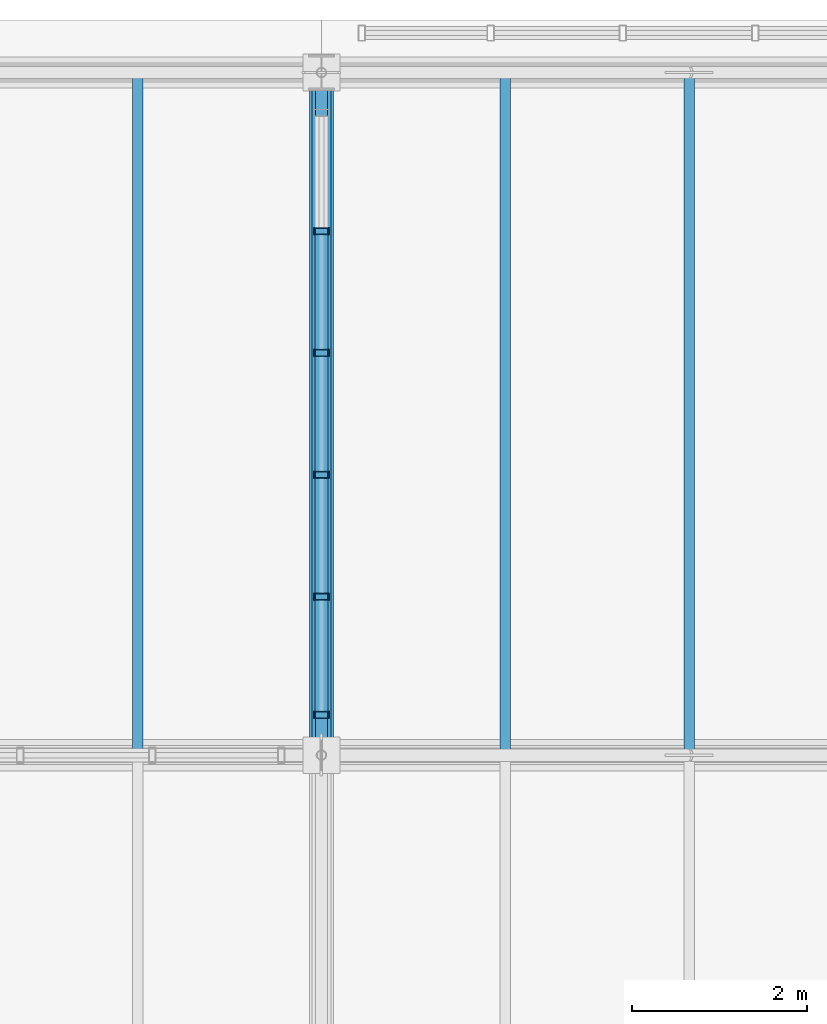
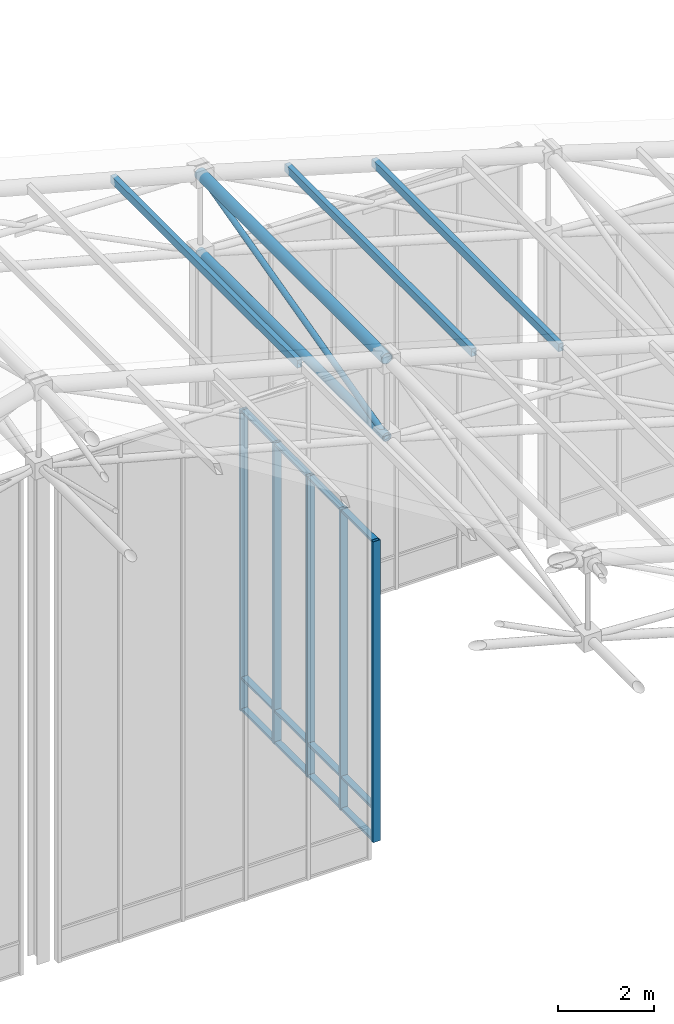
# One storey, part 79 of 144: 23 members, 1 element without a shape of its own.
"""IFC4 building model written with IfcOpenShell, lengths in metres."""

from ifc_helpers import new_model, si_unit, direction, frame, origin, origin_2d, place, context, subcontext, project, spatial, hollow_rectangle, hollow_circle, extrude, material, layer, layer_set, material_profile, profile_set, type_object, element, aggregate, save


model = new_model("IFC4")

# Units and contexts
model_context = context("Model", 3, precision=1e-05, world=origin(), true_north=direction((0.0, 1.0)))
body_context = subcontext(model_context, "Body", "Model", "MODEL_VIEW")
ifc_project = project(units=[si_unit("LENGTHUNIT", "METRE"), si_unit("AREAUNIT", "SQUARE_METRE"), si_unit("VOLUMEUNIT", "CUBIC_METRE"), si_unit("PLANEANGLEUNIT", "RADIAN"), si_unit("MASSUNIT", "GRAM", prefix="KILO")], contexts=[model_context])

# Site, building, storey
site_placement = place(None, origin())
site = spatial("IfcSite", under=ifc_project, at=site_placement, CompositionType="ELEMENT")
building_placement = place(site_placement, origin())
building = spatial("IfcBuilding", under=site, at=building_placement, Name="Zayran Congress Hotel", CompositionType="ELEMENT")
storey_placement = place(building_placement, frame((0.0, 0.0, 19.199951171875)))
storey = spatial("IfcBuildingStorey", under=building, at=storey_placement, Name="L04", CompositionType="ELEMENT", Elevation=19.199951171875)

# Members
ifc_material_1 = material(Name="Steel S355", Category="steel")
ifc_material_profile_1 = material_profile(ifc_material_1, hollow_circle(Radius=0.136474609375, WallThickness=0.012451171875, at=origin_2d()), Name="CHS 273x12.5")
ifc_profile_set_1 = profile_set([ifc_material_profile_1], Name="Steel S355")
member_type_1 = type_object("IfcMemberType", Name="TP-SF-TC2", PredefinedType="CHORD", material=ifc_profile_set_1)
member_1_placement = place(storey_placement, frame((58.800048828125, 109.60009765625, 12.35205078125), z_axis=(0.0, 1.0, 0.0), x_axis=(-1.0, 0.0, 0.0)))
element("IfcMember", 1, at=member_1_placement, inside=storey, type_object=member_type_1, Name="Space Frame Top Chord Y 375", PredefinedType="CHORD", context=body_context, shape_type="SweptSolid", body=[
    extrude(hollow_circle(Radius=0.136474609375, WallThickness=0.012451171875, at=origin_2d()), origin(), (0.0, 0.0, 1.0), 7.7998046875),
])
ifc_material_profile_2 = material_profile(ifc_material_1, hollow_circle(Radius=0.109619140625, WallThickness=0.010009765625, at=origin_2d()), Name="CHS 219.1x10")
ifc_profile_set_2 = profile_set([ifc_material_profile_2], Name="Steel S355")
member_type_2 = type_object("IfcMemberType", Name="TP-SF-BC1", PredefinedType="CHORD", material=ifc_profile_set_2)
member_2_placement = place(storey_placement, frame((58.800048828125, 109.60009765625, 10.35009765625), z_axis=(0.0, 1.0, 0.0), x_axis=(-1.0, 0.0, 0.0)))
element("IfcMember", 2, at=member_2_placement, inside=storey, type_object=member_type_2, Name="Space Frame Bottom Chord Y 376", PredefinedType="CHORD", context=body_context, shape_type="SweptSolid", body=[
    extrude(hollow_circle(Radius=0.109619140625, WallThickness=0.010009765625, at=origin_2d()), origin(), (0.0, 0.0, 1.0), 7.7998046875),
])
ifc_material_profile_3 = material_profile(ifc_material_1, hollow_circle(Radius=0.06982421875, WallThickness=0.00634765625, at=origin_2d()), Name="CHS 139.7x6.3")
ifc_profile_set_3 = profile_set([ifc_material_profile_3], Name="Steel S355")
member_type_3 = type_object("IfcMemberType", Name="TP-SF-DG2", PredefinedType="BRACE", material=ifc_profile_set_3)
member_3_placement = place(storey_placement, frame((58.800048828125, 109.60009765625, 10.35009765625), z_axis=(0.0, 0.968603987179, 0.248608760951), x_axis=(-1.0, 0.0, 0.0)))
element("IfcMember", 3, at=member_3_placement, inside=storey, type_object=member_type_3, Name="Space Frame Web Diagonal Y 377", PredefinedType="BRACE", context=body_context, shape_type="SweptSolid", body=[
    extrude(hollow_circle(Radius=0.06982421875, WallThickness=0.00634765625, at=origin_2d()), origin(), (0.0, 0.0, 1.0), 8.052734375),
])
ifc_material_profile_4 = material_profile(ifc_material_1, hollow_rectangle(XDim=0.1201171875, YDim=0.199951171875, WallThickness=0.008056640625, at=origin_2d()), Name="RHS 200x120x8")
ifc_profile_set_4 = profile_set([ifc_material_profile_4], Name="Steel S355")
member_type_4 = type_object("IfcMemberType", Name="TP-PR-01", PredefinedType="PURLIN", material=ifc_profile_set_4)
for number, where, z_axis, x_axis, name in (
    (4, (56.699951171875, 109.60009765625, 12.95654296875), (0.0, 1.0, 0.0), (-1.0, 0.0, 0.0), "MEM-PR-V1-0108"),
    (5, (60.89990234375, 109.60009765625, 11.781494140625), (0.0, 1.0, 0.0), (-1.0, 0.0, 0.0), "MEM-PR-V1-0114"),
    (6, (63.0, 109.60009765625, 11.1689453125), (0.0, 1.0, 0.0), (-1.0, 0.0, 0.0), "MEM-PR-V1-0120"),
):
    element("IfcMember", number, at=place(storey_placement, frame(where, z_axis=z_axis, x_axis=x_axis)), inside=storey, type_object=member_type_4, Name=name, PredefinedType="PURLIN", context=body_context, shape_type="SweptSolid", body=[
        extrude(hollow_rectangle(XDim=0.1201171875, YDim=0.199951171875, WallThickness=0.008056640625, at=origin_2d()), origin(), (0.0, 0.0, 1.0), 7.7998046875),
    ])

# Curtain wall, members
ifc_material_2 = material(Name="Anodised aluminium and low-E insulated glass", Category="aluminium")
ifc_layer = layer(ifc_material_2, 0.179931640625)
ifc_layer_set = layer_set([ifc_layer], Name="Anodised aluminium and low-E insulated glass")
curtain_wall_type = type_object("IfcCurtainWallType", Name="CW-V1CL-L04-CW-25-6960-7670", PredefinedType="USERDEFINED", material=ifc_layer_set)
curtain_wall_placement = place(storey_placement, origin())
curtain_wall = element("IfcCurtainWall", 7, at=curtain_wall_placement, inside=storey, type_object=curtain_wall_type, Name="CW-V1CLNE", ObjectType="CURTAIN WALL", PredefinedType="USERDEFINED")
ifc_material_3 = material(Name="Anodised aluminium framing", Category="aluminium")
ifc_material_profile_5 = material_profile(ifc_material_3, hollow_rectangle(XDim=0.080078125, YDim=0.179931640625, WallThickness=0.0048828125, at=origin_2d()), Name="RHS 180x80x5")
ifc_profile_set_5 = profile_set([ifc_material_profile_5], Name="Anodised aluminium framing")
member_type_5 = type_object("IfcMemberType", Name="TP-CWM-01", PredefinedType="MULLION", material=ifc_profile_set_5)
member_4_placement = place(storey_placement, frame((58.800048828125, 115.587890625, -0.219970703125), z_axis=(0.0, 0.0, 1.0), x_axis=(0.0, 1.0, 0.0)))
member_4 = element("IfcMember", 8, at=member_4_placement, type_object=member_type_5, Name="CW-V1CLNE-M01", PredefinedType="MULLION", context=body_context, shape_type="SweptSolid", body=[
    extrude(hollow_rectangle(XDim=0.080078125, YDim=0.179931640625, WallThickness=0.0048828125, at=origin_2d()), origin(), (0.0, 0.0, 1.0), 7.669921875),
])
member_5_placement = place(storey_placement, frame((58.800048828125, 114.196044921875, -0.219970703125), z_axis=(0.0, 0.0, 1.0), x_axis=(0.0, 1.0, 0.0)))
member_5 = element("IfcMember", 9, at=member_5_placement, type_object=member_type_5, Name="CW-V1CLNE-M02", PredefinedType="MULLION", context=body_context, shape_type="SweptSolid", body=[
    extrude(hollow_rectangle(XDim=0.080078125, YDim=0.179931640625, WallThickness=0.0048828125, at=origin_2d()), origin(), (0.0, 0.0, 1.0), 7.669921875),
])
member_6_placement = place(storey_placement, frame((58.800048828125, 112.803955078125, -0.219970703125), z_axis=(0.0, 0.0, 1.0), x_axis=(0.0, 1.0, 0.0)))
member_6 = element("IfcMember", 10, at=member_6_placement, type_object=member_type_5, Name="CW-V1CLNE-M03", PredefinedType="MULLION", context=body_context, shape_type="SweptSolid", body=[
    extrude(hollow_rectangle(XDim=0.080078125, YDim=0.179931640625, WallThickness=0.0048828125, at=origin_2d()), origin(), (0.0, 0.0, 1.0), 7.669921875),
])
member_7_placement = place(storey_placement, frame((58.800048828125, 111.412109375, -0.219970703125), z_axis=(0.0, 0.0, 1.0), x_axis=(0.0, 1.0, 0.0)))
member_7 = element("IfcMember", 11, at=member_7_placement, type_object=member_type_5, Name="CW-V1CLNE-M04", PredefinedType="MULLION", context=body_context, shape_type="SweptSolid", body=[
    extrude(hollow_rectangle(XDim=0.080078125, YDim=0.179931640625, WallThickness=0.0048828125, at=origin_2d()), origin(), (0.0, 0.0, 1.0), 7.669921875),
])
member_8_placement = place(storey_placement, frame((58.800048828125, 110.06005859375, -0.219970703125), z_axis=(0.0, 0.0, 1.0), x_axis=(0.0, 1.0, 0.0)))
member_8 = element("IfcMember", 12, at=member_8_placement, type_object=member_type_5, Name="CW-V1CLNE-M05", PredefinedType="MULLION", context=body_context, shape_type="SweptSolid", body=[
    extrude(hollow_rectangle(XDim=0.080078125, YDim=0.179931640625, WallThickness=0.0048828125, at=origin_2d()), origin(), (0.0, 0.0, 1.0), 7.669921875),
])
ifc_material_profile_6 = material_profile(ifc_material_3, hollow_rectangle(XDim=0.06005859375, YDim=0.14990234375, WallThickness=0.00390625, at=origin_2d()), Name="RHS 150x60x4")
ifc_profile_set_6 = profile_set([ifc_material_profile_6], Name="Anodised aluminium framing")
member_type_6 = type_object("IfcMemberType", Name="TP-CWT-01", PredefinedType="USERDEFINED", material=ifc_profile_set_6)
member_9_placement = place(storey_placement, frame((58.800048828125, 115.548095703125, -0.18994140625), z_axis=(0.0, -1.0, 0.0), x_axis=(0.0, 0.0, 1.0)))
member_9 = element("IfcMember", 13, at=member_9_placement, type_object=member_type_6, Name="CW-V1CLNE-T01-0", ObjectType="TRANSOM", PredefinedType="USERDEFINED", context=body_context, shape_type="SweptSolid", body=[
    extrude(hollow_rectangle(XDim=0.06005859375, YDim=0.14990234375, WallThickness=0.00390625, at=origin_2d()), origin(), (0.0, 0.0, 1.0), 1.31201171875),
])
member_10_placement = place(storey_placement, frame((58.800048828125, 115.548095703125, 0.6201171875), z_axis=(0.0, -1.0, 0.0), x_axis=(0.0, 0.0, 1.0)))
member_10 = element("IfcMember", 14, at=member_10_placement, type_object=member_type_6, Name="CW-V1CLNE-T01-1", ObjectType="TRANSOM", PredefinedType="USERDEFINED", context=body_context, shape_type="SweptSolid", body=[
    extrude(hollow_rectangle(XDim=0.06005859375, YDim=0.14990234375, WallThickness=0.00390625, at=origin_2d()), origin(), (0.0, 0.0, 1.0), 1.31201171875),
])
member_11_placement = place(storey_placement, frame((58.800048828125, 115.548095703125, 7.420166015625), z_axis=(0.0, -1.0, 0.0), x_axis=(0.0, 0.0, 1.0)))
member_11 = element("IfcMember", 15, at=member_11_placement, type_object=member_type_6, Name="CW-V1CLNE-T01-2", ObjectType="TRANSOM", PredefinedType="USERDEFINED", context=body_context, shape_type="SweptSolid", body=[
    extrude(hollow_rectangle(XDim=0.06005859375, YDim=0.14990234375, WallThickness=0.00390625, at=origin_2d()), origin(), (0.0, 0.0, 1.0), 1.31201171875),
])
member_12_placement = place(storey_placement, frame((58.800048828125, 114.156005859375, -0.18994140625), z_axis=(0.0, -1.0, 0.0), x_axis=(0.0, 0.0, 1.0)))
member_12 = element("IfcMember", 16, at=member_12_placement, type_object=member_type_6, Name="CW-V1CLNE-T02-0", ObjectType="TRANSOM", PredefinedType="USERDEFINED", context=body_context, shape_type="SweptSolid", body=[
    extrude(hollow_rectangle(XDim=0.06005859375, YDim=0.14990234375, WallThickness=0.00390625, at=origin_2d()), origin(), (0.0, 0.0, 1.0), 1.31201171875),
])
member_13_placement = place(storey_placement, frame((58.800048828125, 114.156005859375, 0.6201171875), z_axis=(0.0, -1.0, 0.0), x_axis=(0.0, 0.0, 1.0)))
member_13 = element("IfcMember", 17, at=member_13_placement, type_object=member_type_6, Name="CW-V1CLNE-T02-1", ObjectType="TRANSOM", PredefinedType="USERDEFINED", context=body_context, shape_type="SweptSolid", body=[
    extrude(hollow_rectangle(XDim=0.06005859375, YDim=0.14990234375, WallThickness=0.00390625, at=origin_2d()), origin(), (0.0, 0.0, 1.0), 1.31201171875),
])
member_14_placement = place(storey_placement, frame((58.800048828125, 114.156005859375, 7.420166015625), z_axis=(0.0, -1.0, 0.0), x_axis=(0.0, 0.0, 1.0)))
member_14 = element("IfcMember", 18, at=member_14_placement, type_object=member_type_6, Name="CW-V1CLNE-T02-2", ObjectType="TRANSOM", PredefinedType="USERDEFINED", context=body_context, shape_type="SweptSolid", body=[
    extrude(hollow_rectangle(XDim=0.06005859375, YDim=0.14990234375, WallThickness=0.00390625, at=origin_2d()), origin(), (0.0, 0.0, 1.0), 1.31201171875),
])
member_15_placement = place(storey_placement, frame((58.800048828125, 112.763916015625, -0.18994140625), z_axis=(0.0, -1.0, 0.0), x_axis=(0.0, 0.0, 1.0)))
member_15 = element("IfcMember", 19, at=member_15_placement, type_object=member_type_6, Name="CW-V1CLNE-T03-0", ObjectType="TRANSOM", PredefinedType="USERDEFINED", context=body_context, shape_type="SweptSolid", body=[
    extrude(hollow_rectangle(XDim=0.06005859375, YDim=0.14990234375, WallThickness=0.00390625, at=origin_2d()), origin(), (0.0, 0.0, 1.0), 1.31201171875),
])
member_16_placement = place(storey_placement, frame((58.800048828125, 112.763916015625, 0.6201171875), z_axis=(0.0, -1.0, 0.0), x_axis=(0.0, 0.0, 1.0)))
member_16 = element("IfcMember", 20, at=member_16_placement, type_object=member_type_6, Name="CW-V1CLNE-T03-1", ObjectType="TRANSOM", PredefinedType="USERDEFINED", context=body_context, shape_type="SweptSolid", body=[
    extrude(hollow_rectangle(XDim=0.06005859375, YDim=0.14990234375, WallThickness=0.00390625, at=origin_2d()), origin(), (0.0, 0.0, 1.0), 1.31201171875),
])
member_17_placement = place(storey_placement, frame((58.800048828125, 112.763916015625, 7.420166015625), z_axis=(0.0, -1.0, 0.0), x_axis=(0.0, 0.0, 1.0)))
member_17 = element("IfcMember", 21, at=member_17_placement, type_object=member_type_6, Name="CW-V1CLNE-T03-2", ObjectType="TRANSOM", PredefinedType="USERDEFINED", context=body_context, shape_type="SweptSolid", body=[
    extrude(hollow_rectangle(XDim=0.06005859375, YDim=0.14990234375, WallThickness=0.00390625, at=origin_2d()), origin(), (0.0, 0.0, 1.0), 1.31201171875),
])
member_18_placement = place(storey_placement, frame((58.800048828125, 111.3720703125, -0.18994140625), z_axis=(0.0, -1.0, 0.0), x_axis=(0.0, 0.0, 1.0)))
member_18 = element("IfcMember", 22, at=member_18_placement, type_object=member_type_6, Name="CW-V1CLNE-T04-0", ObjectType="TRANSOM", PredefinedType="USERDEFINED", context=body_context, shape_type="SweptSolid", body=[
    extrude(hollow_rectangle(XDim=0.06005859375, YDim=0.14990234375, WallThickness=0.00390625, at=origin_2d()), origin(), (0.0, 0.0, 1.0), 1.27197265625),
])
member_19_placement = place(storey_placement, frame((58.800048828125, 111.3720703125, 0.6201171875), z_axis=(0.0, -1.0, 0.0), x_axis=(0.0, 0.0, 1.0)))
member_19 = element("IfcMember", 23, at=member_19_placement, type_object=member_type_6, Name="CW-V1CLNE-T04-1", ObjectType="TRANSOM", PredefinedType="USERDEFINED", context=body_context, shape_type="SweptSolid", body=[
    extrude(hollow_rectangle(XDim=0.06005859375, YDim=0.14990234375, WallThickness=0.00390625, at=origin_2d()), origin(), (0.0, 0.0, 1.0), 1.27197265625),
])
member_20_placement = place(storey_placement, frame((58.800048828125, 111.3720703125, 7.420166015625), z_axis=(0.0, -1.0, 0.0), x_axis=(0.0, 0.0, 1.0)))
member_20 = element("IfcMember", 24, at=member_20_placement, type_object=member_type_6, Name="CW-V1CLNE-T04-2", ObjectType="TRANSOM", PredefinedType="USERDEFINED", context=body_context, shape_type="SweptSolid", body=[
    extrude(hollow_rectangle(XDim=0.06005859375, YDim=0.14990234375, WallThickness=0.00390625, at=origin_2d()), origin(), (0.0, 0.0, 1.0), 1.27197265625),
])
aggregate(curtain_wall, [member_4, member_5, member_6, member_7, member_8, member_9, member_10, member_11, member_12, member_13, member_14, member_15, member_16, member_17, member_18, member_19, member_20])

save(model, "model.ifc")
